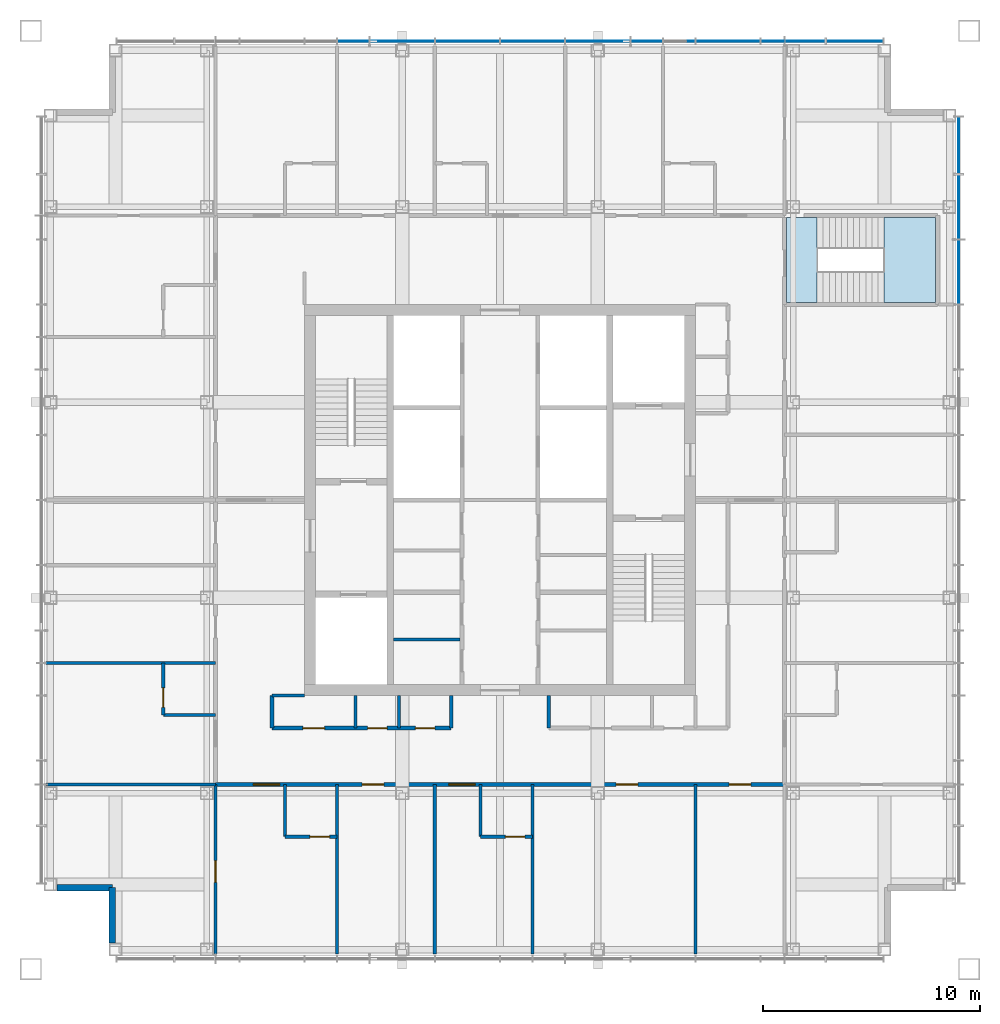
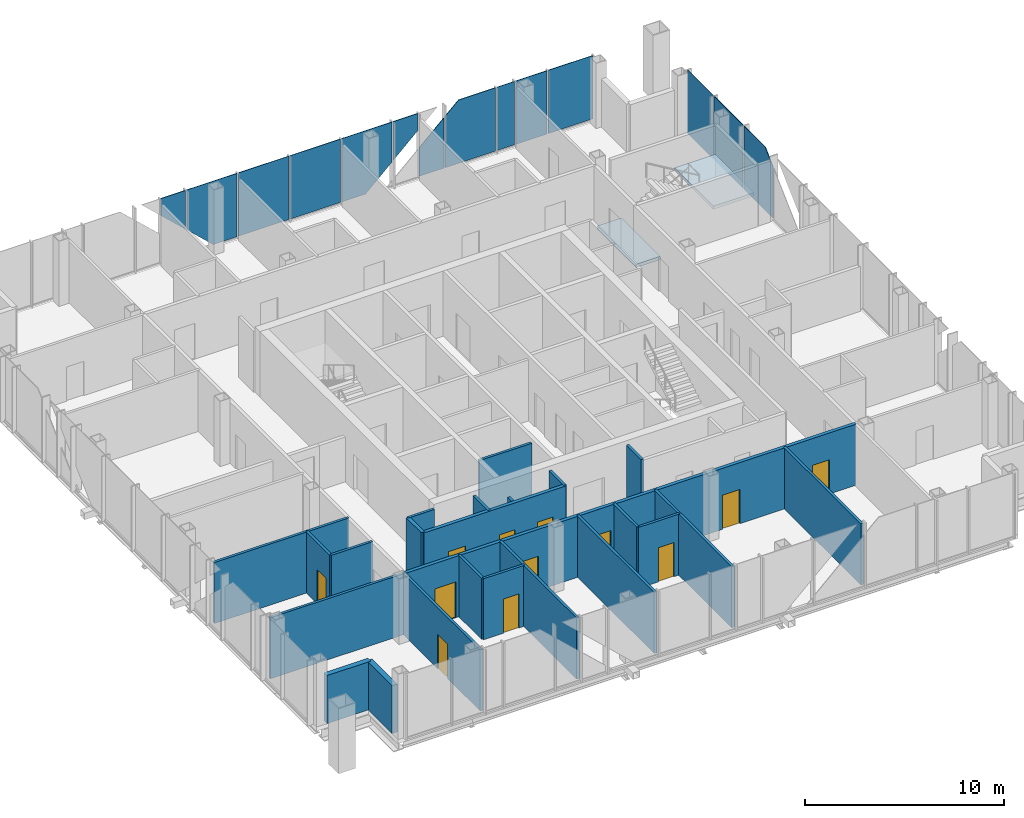
# One storey, part 7 of 13: 24 walls, 14 plates, 12 doors, 2 slabs, 12 openings, 3 elements without a shape of their own.
"""IFC4 building model written with IfcOpenShell, lengths in metres."""

from ifc_helpers import new_model, si_unit, direction, frame, frame_2d, origin, origin_2d, place, context, subcontext, project, spatial, polyline, rectangle, outline, extrude, material, layer, layer_set, type_object, element, fill, aggregate, save


model = new_model("IFC4")

# Units and contexts
model_context = context("Model", 3, precision=1e-05, world=origin(), true_north=direction((0.0, 1.0)))
body_context = subcontext(model_context, "Body", "Model", "MODEL_VIEW")
ifc_project = project(units=[si_unit("LENGTHUNIT", "METRE"), si_unit("AREAUNIT", "SQUARE_METRE"), si_unit("VOLUMEUNIT", "CUBIC_METRE"), si_unit("PLANEANGLEUNIT", "RADIAN"), si_unit("MASSUNIT", "GRAM", prefix="KILO")], contexts=[model_context])

# Site, building, storey
site_placement = place(None, origin())
site = spatial("IfcSite", under=ifc_project, at=site_placement, CompositionType="ELEMENT")
building_placement = place(site_placement, origin())
building = spatial("IfcBuilding", under=site, at=building_placement, Name="Malebo Sky Hospital", CompositionType="ELEMENT")
storey_placement = place(building_placement, frame((0.0, 0.0, 274.0)))
storey = spatial("IfcBuildingStorey", under=building, at=storey_placement, Name="L66", CompositionType="ELEMENT", Elevation=274.0)

# Stair, slabs
ifc_material_1 = material(Name="Concrete C40/50", Category="concrete")
stair_type = type_object("IfcStairType", Name="HALF-TURN STAIR 1400 R167", PredefinedType="HALF_TURN_STAIR", material=ifc_material_1)
stair_placement = place(storey_placement, origin())
stair = element("IfcStair", 1, at=stair_placement, inside=storey, type_object=stair_type, Name="Stair S3 L66 type ST1B", PredefinedType="HALF_TURN_STAIR")
ifc_layer_1 = layer(ifc_material_1, 0.199951171875)
ifc_layer_set_1 = layer_set([ifc_layer_1], Name="STAIR LANDING 200")
slab_type = type_object("IfcSlabType", Name="STAIR LANDING 200", PredefinedType="LANDING", material=ifc_layer_set_1)
slab_1_placement = place(storey_placement, frame((0.0, 0.0, -0.199951171875)))
slab_1 = element("IfcSlab", 2, at=slab_1_placement, type_object=slab_type, Name="S3 landing 1", PredefinedType="LANDING", context=body_context, shape_type="SweptSolid", body=[
    extrude(outline(polyline([(73.199951171875, 71.10009765625), (73.199951171875, 75.0), (74.60009765625, 75.0), (74.60009765625, 71.10009765625), (73.199951171875, 71.10009765625)])), origin(), (0.0, 0.0, 1.0), 0.199951171875),
])
slab_2_placement = place(storey_placement, frame((0.0, 0.0, 1.800048828125)))
slab_2 = element("IfcSlab", 3, at=slab_2_placement, type_object=slab_type, Name="S3 landing 2", PredefinedType="LANDING", context=body_context, shape_type="SweptSolid", body=[
    extrude(outline(polyline([(77.679931640625, 71.10009765625), (77.679931640625, 75.0), (80.050048828125, 75.0), (80.050048828125, 71.10009765625), (77.679931640625, 71.10009765625)])), origin(), (0.0, 0.0, 1.0), 0.199951171875),
])
aggregate(stair, [slab_1, slab_2])

# Curtain wall, plates
ifc_material_2 = material(Name="Anodised aluminium, natural silver", Category="aluminium")
ifc_layer_2 = layer(ifc_material_2, 0.25)
ifc_layer_set_2 = layer_set([ifc_layer_2], Name="WARD CURTAIN WALL NORTH AND SOUTH")
curtain_wall_type_1 = type_object("IfcCurtainWallType", Name="WARD CURTAIN WALL NORTH AND SOUTH", PredefinedType="NOTDEFINED", material=ifc_layer_set_2)
curtain_wall_1_placement = place(storey_placement, origin())
curtain_wall_1 = element("IfcCurtainWall", 4, at=curtain_wall_1_placement, inside=storey, type_object=curtain_wall_type_1, Name="NS curtain wall N", PredefinedType="NOTDEFINED")
ifc_material_3 = material(Name="Clear low-iron double glazing", Category="glass")
ifc_layer_3 = layer(ifc_material_3, 0.031982421875)
ifc_layer_set_3 = layer_set([ifc_layer_3], Name="VISION PANEL CLEAR 32")
plate_type = type_object("IfcPlateType", Name="VISION PANEL CLEAR 32", PredefinedType="CURTAIN_PANEL", material=ifc_layer_set_3)
plate_1_placement = place(storey_placement, frame((53.25, 83.125, 1.611083984375), z_axis=(0.0, 0.0, 1.0), x_axis=(1.0, 0.0, 0.0)))
plate_1 = element("IfcPlate", 5, at=plate_1_placement, type_object=plate_type, Name="Panel 6", PredefinedType="CURTAIN_PANEL", context=body_context, shape_type="SweptSolid", body=[
    extrude(outline(polyline([(0.71240234375, 0.0), (0.71240234375, 2.37890625), (-0.71240234375, 2.37890625), (-0.71240234375, 1.334228515625), (0.71240234375, 0.0)])), frame((0.0, 0.01611328125, 0.0), z_axis=(0.0, -1.0, 0.0), x_axis=(1.0, 0.0, 0.0)), (0.0, 0.0, 1.0), 0.031982421875),
])
plate_2_placement = place(storey_placement, frame((55.5, 83.125, 0.10009765625), z_axis=(0.0, 0.0, 1.0), x_axis=(1.0, 0.0, 0.0)))
plate_2 = element("IfcPlate", 6, at=plate_2_placement, type_object=plate_type, Name="Panel 7", PredefinedType="CURTAIN_PANEL", context=body_context, shape_type="SweptSolid", body=[
    extrude(outline(polyline([(0.076416015625, 0.0), (1.46240234375, 0.0), (1.46240234375, 3.889892578125), (-1.46240234375, 3.889892578125), (-1.46240234375, 1.44091796875), (0.076416015625, 0.0)])), frame((0.0, 0.01611328125, 0.0), z_axis=(0.0, -1.0, 0.0), x_axis=(1.0, 0.0, 0.0)), (0.0, 0.0, 1.0), 0.031982421875),
])
plate_3_placement = place(storey_placement, frame((58.5, 83.125, 0.10009765625), z_axis=(0.0, 0.0, 1.0), x_axis=(1.0, 0.0, 0.0)))
plate_3 = element("IfcPlate", 7, at=plate_3_placement, type_object=plate_type, Name="Panel 8", PredefinedType="CURTAIN_PANEL", context=body_context, shape_type="SweptSolid", body=[
    extrude(rectangle(XDim=2.925048828125, YDim=0.031982421875, at=origin_2d()), origin(), (0.0, 0.0, 1.0), 3.889892578125),
])
plate_4_placement = place(storey_placement, frame((61.5, 83.125, 0.10009765625), z_axis=(0.0, 0.0, 1.0), x_axis=(1.0, 0.0, 0.0)))
plate_4 = element("IfcPlate", 8, at=plate_4_placement, type_object=plate_type, Name="Panel 9", PredefinedType="CURTAIN_PANEL", context=body_context, shape_type="SweptSolid", body=[
    extrude(rectangle(XDim=2.925048828125, YDim=0.031982421875, at=origin_2d()), origin(), (0.0, 0.0, 1.0), 3.889892578125),
])
plate_5_placement = place(storey_placement, frame((64.5, 83.125, 0.10009765625), z_axis=(0.0, 0.0, 1.0), x_axis=(1.0, 0.0, 0.0)))
plate_5 = element("IfcPlate", 9, at=plate_5_placement, type_object=plate_type, Name="Panel 10", PredefinedType="CURTAIN_PANEL", context=body_context, shape_type="SweptSolid", body=[
    extrude(outline(polyline([(-1.46240234375, 0.0), (-0.076416015625, 0.0), (1.46240234375, 1.44091796875), (1.46240234375, 3.889892578125), (-1.46240234375, 3.889892578125), (-1.46240234375, 0.0)])), frame((0.0, 0.01611328125, 0.0), z_axis=(0.0, -1.0, 0.0), x_axis=(1.0, 0.0, 0.0)), (0.0, 0.0, 1.0), 0.031982421875),
])
plate_6_placement = place(storey_placement, frame((66.75, 83.125, 1.611083984375), z_axis=(0.0, 0.0, 1.0), x_axis=(1.0, 0.0, 0.0)))
plate_6 = element("IfcPlate", 10, at=plate_6_placement, type_object=plate_type, Name="Panel 11", PredefinedType="CURTAIN_PANEL", context=body_context, shape_type="SweptSolid", body=[
    extrude(outline(polyline([(-0.71240234375, 0.0), (0.71240234375, 1.334228515625), (0.71240234375, 2.37890625), (-0.71240234375, 2.37890625), (-0.71240234375, 0.0)])), frame((0.0, 0.01611328125, 0.0), z_axis=(0.0, -1.0, 0.0), x_axis=(1.0, 0.0, 0.0)), (0.0, 0.0, 1.0), 0.031982421875),
])
plate_7_placement = place(storey_placement, frame((68.25, 83.125, 0.10009765625), z_axis=(0.0, 0.0, 1.0), x_axis=(1.0, 0.0, 0.0)))
plate_7 = element("IfcPlate", 11, at=plate_7_placement, type_object=plate_type, Name="Panel 12", PredefinedType="CURTAIN_PANEL", context=body_context, shape_type="SweptSolid", body=[
    extrude(outline(polyline([(-0.71240234375, 0.0), (0.71240234375, 0.0), (0.71240234375, 3.083984375), (-0.71240234375, 1.749755859375), (-0.71240234375, 0.0)])), frame((0.0, 0.01611328125, 0.0), z_axis=(0.0, -1.0, 0.0), x_axis=(1.0, 0.0, 0.0)), (0.0, 0.0, 1.0), 0.031982421875),
])
plate_8_placement = place(storey_placement, frame((70.5, 83.125, 0.10009765625), z_axis=(0.0, 0.0, 1.0), x_axis=(1.0, 0.0, 0.0)))
plate_8 = element("IfcPlate", 12, at=plate_8_placement, type_object=plate_type, Name="Panel 13", PredefinedType="CURTAIN_PANEL", context=body_context, shape_type="SweptSolid", body=[
    extrude(outline(polyline([(-1.46240234375, 0.0), (1.46240234375, 0.0), (1.46240234375, 3.889892578125), (-0.6767578125, 3.889892578125), (-1.46240234375, 3.154296875), (-1.46240234375, 0.0)])), frame((0.0, 0.01611328125, 0.0), z_axis=(0.0, -1.0, 0.0), x_axis=(1.0, 0.0, 0.0)), (0.0, 0.0, 1.0), 0.031982421875),
])
plate_9_placement = place(storey_placement, frame((72.550048828125, 83.125, 0.10009765625), z_axis=(0.0, 0.0, 1.0), x_axis=(1.0, 0.0, 0.0)))
plate_9 = element("IfcPlate", 13, at=plate_9_placement, type_object=plate_type, Name="Panel 14", PredefinedType="CURTAIN_PANEL", context=body_context, shape_type="SweptSolid", body=[
    extrude(rectangle(XDim=1.02490234375, YDim=0.031982421875, at=origin_2d()), origin(), (0.0, 0.0, 1.0), 3.889892578125),
])
plate_10_placement = place(storey_placement, frame((74.050048828125, 83.125, 0.10009765625), z_axis=(0.0, 0.0, 1.0), x_axis=(1.0, 0.0, 0.0)))
plate_10 = element("IfcPlate", 14, at=plate_10_placement, type_object=plate_type, Name="Panel 15", PredefinedType="CURTAIN_PANEL", context=body_context, shape_type="SweptSolid", body=[
    extrude(rectangle(XDim=1.824951171875, YDim=0.031982421875, at=origin_2d()), origin(), (0.0, 0.0, 1.0), 3.889892578125),
])
plate_11_placement = place(storey_placement, frame((76.331298828125, 83.125, 0.10009765625), z_axis=(0.0, 0.0, 1.0), x_axis=(1.0, 0.0, 0.0)))
plate_11 = element("IfcPlate", 15, at=plate_11_placement, type_object=plate_type, Name="Panel 16", PredefinedType="CURTAIN_PANEL", context=body_context, shape_type="SweptSolid", body=[
    extrude(rectangle(XDim=2.58740234375, YDim=0.031982421875, at=origin_2d()), origin(), (0.0, 0.0, 1.0), 3.889892578125),
])
aggregate(curtain_wall_1, [plate_1, plate_2, plate_3, plate_4, plate_5, plate_6, plate_7, plate_8, plate_9, plate_10, plate_11])

ifc_layer_4 = layer(ifc_material_2, 0.25)
ifc_layer_set_4 = layer_set([ifc_layer_4], Name="WARD CURTAIN WALL EAST AND WEST")
curtain_wall_type_2 = type_object("IfcCurtainWallType", Name="WARD CURTAIN WALL EAST AND WEST", PredefinedType="NOTDEFINED", material=ifc_layer_set_4)
curtain_wall_2_placement = place(storey_placement, origin())
curtain_wall_2 = element("IfcCurtainWall", 16, at=curtain_wall_2_placement, inside=storey, type_object=curtain_wall_type_2, Name="EW curtain wall E", PredefinedType="NOTDEFINED")
plate_12_placement = place(storey_placement, frame((81.125, 78.331298828125, 0.10009765625), z_axis=(0.0, 0.0, 1.0), x_axis=(0.0, -1.0, 0.0)))
plate_12 = element("IfcPlate", 17, at=plate_12_placement, type_object=plate_type, Name="Panel 1", PredefinedType="CURTAIN_PANEL", context=body_context, shape_type="SweptSolid", body=[
    extrude(rectangle(XDim=2.58740234375, YDim=0.031982421875, at=origin_2d()), origin(), (0.0, 0.0, 1.0), 3.889892578125),
])
plate_13_placement = place(storey_placement, frame((81.125, 75.5, 0.10009765625), z_axis=(0.0, 0.0, 1.0), x_axis=(0.0, -1.0, 0.0)))
plate_13 = element("IfcPlate", 18, at=plate_13_placement, type_object=plate_type, Name="Panel 2", PredefinedType="CURTAIN_PANEL", context=body_context, shape_type="SweptSolid", body=[
    extrude(rectangle(XDim=2.925048828125, YDim=0.031982421875, at=origin_2d()), origin(), (0.0, 0.0, 1.0), 3.889892578125),
])
plate_14_placement = place(storey_placement, frame((81.125, 72.5, 0.10009765625), z_axis=(0.0, 0.0, 1.0), x_axis=(0.0, -1.0, 0.0)))
plate_14 = element("IfcPlate", 19, at=plate_14_placement, type_object=plate_type, Name="Panel 3", PredefinedType="CURTAIN_PANEL", context=body_context, shape_type="SweptSolid", body=[
    extrude(outline(polyline([(-1.46240234375, 0.0), (1.46240234375, 0.0), (1.46240234375, 3.154296875), (0.6767578125, 3.889892578125), (-1.46240234375, 3.889892578125), (-1.46240234375, 0.0)])), frame((0.0, 0.01611328125, 0.0), z_axis=(0.0, -1.0, 0.0), x_axis=(1.0, 0.0, 0.0)), (0.0, 0.0, 1.0), 0.031982421875),
])
aggregate(curtain_wall_2, [plate_12, plate_13, plate_14])

# Wall
ifc_material_4 = material(Name="Gypsum board on steel studs", Category="steel")
ifc_layer_5 = layer(ifc_material_4, 0.199951171875)
ifc_layer_set_5 = layer_set([ifc_layer_5], Name="CORRIDOR WALL 200")
wall_type_1 = type_object("IfcWallType", Name="CORRIDOR WALL 200", PredefinedType="PARTITIONING", material=ifc_layer_set_5)
wall_1_placement = place(storey_placement, frame((49.5, 51.5, 0.0), z_axis=(0.0, 0.0, 1.0), x_axis=(0.0, 1.0, 0.0)))
element("IfcWall", 20, at=wall_1_placement, inside=storey, type_object=wall_type_1, Name="Corridor Wall 200 WCIK", PredefinedType="PARTITIONING", context=body_context, shape_type="SweptSolid", body=[
    extrude(rectangle(XDim=1.5, YDim=0.199951171875, at=frame_2d((0.75, 0.0))), origin(), (0.0, 0.0, 1.0), 3.75),
])

# Wall, openings, doors
wall_2_placement = place(storey_placement, frame((73.10009765625, 48.89990234375, 0.0), z_axis=(0.0, 0.0, 1.0), x_axis=(-1.0, 0.0, 0.0)))
wall_2 = element("IfcWall", 21, at=wall_2_placement, inside=storey, type_object=wall_type_1, Name="Corridor Wall 200 SCO", PredefinedType="PARTITIONING", context=body_context, shape_type="SweptSolid", body=[
    extrude(rectangle(XDim=26.2001953125, YDim=0.199951171875, at=frame_2d((13.10009765625, 0.0))), origin(), (0.0, 0.0, 1.0), 3.75),
])
opening_1_placement = place(wall_2_placement, frame((1.550048828125, 0.0, 0.0)))
opening_1 = element("IfcOpeningElement", 22, at=opening_1_placement, cuts=wall_2, Name="Opening D03", PredefinedType="OPENING", context=body_context, shape_type="SweptSolid", body=[
    extrude(rectangle(XDim=1.0, YDim=2.10009765625, at=frame_2d((0.5, 1.050048828125))), frame((0.0, 0.10986328125, 0.0), z_axis=(0.0, -1.0, 0.0), x_axis=(1.0, 0.0, 0.0)), (0.0, 0.0, 1.0), 0.219970703125),
])
opening_2_placement = place(wall_2_placement, frame((6.75, 0.0, 0.0)))
opening_2 = element("IfcOpeningElement", 23, at=opening_2_placement, cuts=wall_2, Name="Opening D03", PredefinedType="OPENING", context=body_context, shape_type="SweptSolid", body=[
    extrude(rectangle(XDim=1.0, YDim=2.10009765625, at=frame_2d((0.5, 1.050048828125))), frame((0.0, 0.10986328125, 0.0), z_axis=(0.0, -1.0, 0.0), x_axis=(1.0, 0.0, 0.0)), (0.0, 0.0, 1.0), 0.219970703125),
])
opening_3_placement = place(wall_2_placement, frame((14.25, 0.0, 0.0)))
opening_3 = element("IfcOpeningElement", 24, at=opening_3_placement, cuts=wall_2, Name="Opening D01", PredefinedType="OPENING", context=body_context, shape_type="SweptSolid", body=[
    extrude(rectangle(XDim=1.199951171875, YDim=2.199951171875, at=frame_2d((0.60009765625, 1.10009765625))), frame((0.0, 0.10986328125, 0.0), z_axis=(0.0, -1.0, 0.0), x_axis=(1.0, 0.0, 0.0)), (0.0, 0.0, 1.0), 0.219970703125),
])
opening_4_placement = place(wall_2_placement, frame((18.449951171875, 0.0, 0.0)))
opening_4 = element("IfcOpeningElement", 25, at=opening_4_placement, cuts=wall_2, Name="Opening D03", PredefinedType="OPENING", context=body_context, shape_type="SweptSolid", body=[
    extrude(rectangle(XDim=1.0, YDim=2.10009765625, at=frame_2d((0.5, 1.050048828125))), frame((0.0, 0.10986328125, 0.0), z_axis=(0.0, -1.0, 0.0), x_axis=(1.0, 0.0, 0.0)), (0.0, 0.0, 1.0), 0.219970703125),
])
opening_5_placement = place(wall_2_placement, frame((23.25, 0.0, 0.0)))
opening_5 = element("IfcOpeningElement", 26, at=opening_5_placement, cuts=wall_2, Name="Opening D01", PredefinedType="OPENING", context=body_context, shape_type="SweptSolid", body=[
    extrude(rectangle(XDim=1.199951171875, YDim=2.199951171875, at=frame_2d((0.60009765625, 1.10009765625))), frame((0.0, 0.10986328125, 0.0), z_axis=(0.0, -1.0, 0.0), x_axis=(1.0, 0.0, 0.0)), (0.0, 0.0, 1.0), 0.219970703125),
])
ifc_material_5 = material(Name="Hardwood-faced door leaf in steel frame", Category="steel")
door_type_1 = type_object("IfcDoorType", Name="BED DOOR 1200", OperationType="SINGLE_SWING_LEFT", PredefinedType="DOOR", material=ifc_material_5)
door_1_placement = place(opening_3_placement, origin())
door_1 = element("IfcDoor", 27, at=door_1_placement, inside=storey, type_object=door_type_1, Name="Private patient suite door", OperationType="SINGLE_SWING_LEFT", OverallHeight=2.199951171875, OverallWidth=1.199951171875, PredefinedType="DOOR", context=body_context, shape_type="SweptSolid", body=[
    extrude(rectangle(XDim=1.199951171875, YDim=2.199951171875, at=frame_2d((0.60009765625, 1.10009765625))), frame((0.0, 0.02490234375, 0.0), z_axis=(0.0, -1.0, 0.0), x_axis=(1.0, 0.0, 0.0)), (0.0, 0.0, 1.0), 0.050048828125),
])
fill(opening_3, door_1)
door_2_placement = place(opening_5_placement, origin())
door_2 = element("IfcDoor", 28, at=door_2_placement, inside=storey, type_object=door_type_1, Name="Private patient suite door", OperationType="SINGLE_SWING_LEFT", OverallHeight=2.199951171875, OverallWidth=1.199951171875, PredefinedType="DOOR", context=body_context, shape_type="SweptSolid", body=[
    extrude(rectangle(XDim=1.199951171875, YDim=2.199951171875, at=frame_2d((0.60009765625, 1.10009765625))), frame((0.0, 0.02490234375, 0.0), z_axis=(0.0, -1.0, 0.0), x_axis=(1.0, 0.0, 0.0)), (0.0, 0.0, 1.0), 0.050048828125),
])
fill(opening_5, door_2)
door_type_2 = type_object("IfcDoorType", Name="ROOM DOOR 1000", OperationType="SINGLE_SWING_LEFT", PredefinedType="DOOR", material=ifc_material_5)
door_3_placement = place(opening_1_placement, origin())
door_3 = element("IfcDoor", 29, at=door_3_placement, inside=storey, type_object=door_type_2, Name="Ward office door", OperationType="SINGLE_SWING_LEFT", OverallHeight=2.10009765625, OverallWidth=1.0, PredefinedType="DOOR", context=body_context, shape_type="SweptSolid", body=[
    extrude(rectangle(XDim=1.0, YDim=2.10009765625, at=frame_2d((0.5, 1.050048828125))), frame((0.0, 0.02490234375, 0.0), z_axis=(0.0, -1.0, 0.0), x_axis=(1.0, 0.0, 0.0)), (0.0, 0.0, 1.0), 0.050048828125),
])
fill(opening_1, door_3)
door_4_placement = place(opening_2_placement, origin())
door_4 = element("IfcDoor", 30, at=door_4_placement, inside=storey, type_object=door_type_2, Name="Patient lounge door", OperationType="SINGLE_SWING_LEFT", OverallHeight=2.10009765625, OverallWidth=1.0, PredefinedType="DOOR", context=body_context, shape_type="SweptSolid", body=[
    extrude(rectangle(XDim=1.0, YDim=2.10009765625, at=frame_2d((0.5, 1.050048828125))), frame((0.0, 0.02490234375, 0.0), z_axis=(0.0, -1.0, 0.0), x_axis=(1.0, 0.0, 0.0)), (0.0, 0.0, 1.0), 0.050048828125),
])
fill(opening_2, door_4)
door_5_placement = place(opening_4_placement, origin())
door_5 = element("IfcDoor", 31, at=door_5_placement, inside=storey, type_object=door_type_2, Name="Dirty utility room door", OperationType="SINGLE_SWING_RIGHT", OverallHeight=2.10009765625, OverallWidth=1.0, PredefinedType="DOOR", context=body_context, shape_type="SweptSolid", body=[
    extrude(rectangle(XDim=1.0, YDim=2.10009765625, at=frame_2d((0.5, 1.050048828125))), frame((0.0, 0.02490234375, 0.0), z_axis=(0.0, -1.0, 0.0), x_axis=(1.0, 0.0, 0.0)), (0.0, 0.0, 1.0), 0.050048828125),
])
fill(opening_4, door_5)

wall_3_placement = place(storey_placement, frame((57.75, 51.5, 0.0), z_axis=(0.0, 0.0, 1.0), x_axis=(-1.0, 0.0, 0.0)))
wall_3 = element("IfcWall", 32, at=wall_3_placement, inside=storey, type_object=wall_type_1, Name="Corridor Wall 200 SCI2", PredefinedType="PARTITIONING", context=body_context, shape_type="SweptSolid", body=[
    extrude(rectangle(XDim=8.25, YDim=0.199951171875, at=frame_2d((4.125, 0.0))), origin(), (0.0, 0.0, 1.0), 3.75),
])
opening_6_placement = place(wall_3_placement, frame((0.75, 0.0, 0.0)))
opening_6 = element("IfcOpeningElement", 33, at=opening_6_placement, cuts=wall_3, Name="Opening D04", PredefinedType="OPENING", context=body_context, shape_type="SweptSolid", body=[
    extrude(rectangle(XDim=0.89990234375, YDim=2.10009765625, at=frame_2d((0.449951171875, 1.050048828125))), frame((0.0, 0.10986328125, 0.0), z_axis=(0.0, -1.0, 0.0), x_axis=(1.0, 0.0, 0.0)), (0.0, 0.0, 1.0), 0.219970703125),
])
opening_7_placement = place(wall_3_placement, frame((2.949951171875, 0.0, 0.0)))
opening_7 = element("IfcOpeningElement", 34, at=opening_7_placement, cuts=wall_3, Name="Opening D04", PredefinedType="OPENING", context=body_context, shape_type="SweptSolid", body=[
    extrude(rectangle(XDim=0.89990234375, YDim=2.10009765625, at=frame_2d((0.449951171875, 1.050048828125))), frame((0.0, 0.10986328125, 0.0), z_axis=(0.0, -1.0, 0.0), x_axis=(1.0, 0.0, 0.0)), (0.0, 0.0, 1.0), 0.219970703125),
])
opening_8_placement = place(wall_3_placement, frame((5.824951171875, 0.0, 0.0)))
opening_8 = element("IfcOpeningElement", 35, at=opening_8_placement, cuts=wall_3, Name="Opening D03", PredefinedType="OPENING", context=body_context, shape_type="SweptSolid", body=[
    extrude(rectangle(XDim=1.0, YDim=2.10009765625, at=frame_2d((0.5, 1.050048828125))), frame((0.0, 0.10986328125, 0.0), z_axis=(0.0, -1.0, 0.0), x_axis=(1.0, 0.0, 0.0)), (0.0, 0.0, 1.0), 0.219970703125),
])
door_6_placement = place(opening_8_placement, origin())
door_6 = element("IfcDoor", 36, at=door_6_placement, inside=storey, type_object=door_type_2, Name="Equipment store door", OperationType="SINGLE_SWING_RIGHT", OverallHeight=2.10009765625, OverallWidth=1.0, PredefinedType="DOOR", context=body_context, shape_type="SweptSolid", body=[
    extrude(rectangle(XDim=1.0, YDim=2.10009765625, at=frame_2d((0.5, 1.050048828125))), frame((0.0, 0.02490234375, 0.0), z_axis=(0.0, -1.0, 0.0), x_axis=(1.0, 0.0, 0.0)), (0.0, 0.0, 1.0), 0.050048828125),
])
fill(opening_8, door_6)
door_type_3 = type_object("IfcDoorType", Name="ROOM DOOR 900", OperationType="SINGLE_SWING_LEFT", PredefinedType="DOOR", material=ifc_material_5)
door_7_placement = place(opening_6_placement, origin())
door_7 = element("IfcDoor", 37, at=door_7_placement, inside=storey, type_object=door_type_3, Name="Cleaner's room door", OperationType="SINGLE_SWING_LEFT", OverallHeight=2.10009765625, OverallWidth=0.89990234375, PredefinedType="DOOR", context=body_context, shape_type="SweptSolid", body=[
    extrude(rectangle(XDim=0.89990234375, YDim=2.10009765625, at=frame_2d((0.449951171875, 1.050048828125))), frame((0.0, 0.02490234375, 0.0), z_axis=(0.0, -1.0, 0.0), x_axis=(1.0, 0.0, 0.0)), (0.0, 0.0, 1.0), 0.050048828125),
])
fill(opening_6, door_7)
door_8_placement = place(opening_7_placement, origin())
door_8 = element("IfcDoor", 38, at=door_8_placement, inside=storey, type_object=door_type_3, Name="Visitor WC door", OperationType="SINGLE_SWING_LEFT", OverallHeight=2.10009765625, OverallWidth=0.89990234375, PredefinedType="DOOR", context=body_context, shape_type="SweptSolid", body=[
    extrude(rectangle(XDim=0.89990234375, YDim=2.10009765625, at=frame_2d((0.449951171875, 1.050048828125))), frame((0.0, 0.02490234375, 0.0), z_axis=(0.0, -1.0, 0.0), x_axis=(1.0, 0.0, 0.0)), (0.0, 0.0, 1.0), 0.050048828125),
])
fill(opening_7, door_8)

# Walls
ifc_material_6 = material(Name="Anodised aluminium rainscreen on steel framing", Category="steel")
ifc_layer_6 = layer(ifc_material_6, 0.300048828125)
ifc_layer_set_6 = layer_set([ifc_layer_6], Name="NOTCH RAINSCREEN WALL 300")
wall_type_2 = type_object("IfcWallType", Name="NOTCH RAINSCREEN WALL 300", PredefinedType="ELEMENTEDWALL", material=ifc_layer_set_6)
for number, where, z_axis, x_axis, name in (
    (39, (42.14990234375, 41.60009765625, 0.0), (0.0, 0.0, 1.0), (0.0, 1.0, 0.0), "Notch rainscreen wall S1 L66"),
    (40, (42.14990234375, 44.14990234375, 0.0), (0.0, 0.0, 1.0), (-1.0, 0.0, 0.0), "Notch rainscreen wall S2 L66"),
):
    element("IfcWall", number, at=place(storey_placement, frame(where, z_axis=z_axis, x_axis=x_axis)), inside=storey, type_object=wall_type_2, Name=name, PredefinedType="ELEMENTEDWALL", context=body_context, shape_type="SweptSolid", body=[
        extrude(rectangle(XDim=2.5498046875, YDim=0.300048828125, at=frame_2d((1.27490234375, 0.0))), origin(), (0.0, 0.0, 1.0), 2.949951171875),
    ])
ifc_layer_7 = layer(ifc_material_4, 0.14990234375)
ifc_layer_set_7 = layer_set([ifc_layer_7], Name="PARTITION 150")
wall_type_3 = type_object("IfcWallType", Name="PARTITION 150", PredefinedType="PARTITIONING", material=ifc_layer_set_7)
for number, where, z_axis, x_axis, name in (
    (41, (46.89990234375, 54.5, 0.0), (0.0, 0.0, 1.0), (-1.0, 0.0, 0.0), "Partition 150 WP-7.5"),
    (42, (46.89990234375, 48.89990234375, 0.0), (0.0, 0.0, 1.0), (-1.0, 0.0, 0.0), "Partition 150 WP0"),
):
    element("IfcWall", number, at=place(storey_placement, frame(where, z_axis=z_axis, x_axis=x_axis)), inside=storey, type_object=wall_type_3, Name=name, PredefinedType="PARTITIONING", context=body_context, shape_type="SweptSolid", body=[
        extrude(rectangle(XDim=7.7998046875, YDim=0.14990234375, at=frame_2d((3.89990234375, 0.0))), origin(), (0.0, 0.0, 1.0), 3.75),
    ])

# Wall, opening, door
wall_4_placement = place(storey_placement, frame((44.5, 52.10009765625, 0.0), z_axis=(0.0, 0.0, 1.0), x_axis=(0.0, 1.0, 0.0)))
wall_4 = element("IfcWall", 43, at=wall_4_placement, inside=storey, type_object=wall_type_3, Name="Partition 150 WE0F", PredefinedType="PARTITIONING", context=body_context, shape_type="SweptSolid", body=[
    extrude(rectangle(XDim=2.39990234375, YDim=0.14990234375, at=frame_2d((1.199951171875, 0.0))), origin(), (0.0, 0.0, 1.0), 3.75),
])
opening_9_placement = place(wall_4_placement, frame((0.35009765625, 0.0, 0.0)))
opening_9 = element("IfcOpeningElement", 44, at=opening_9_placement, cuts=wall_4, Name="Opening D02", PredefinedType="OPENING", context=body_context, shape_type="SweptSolid", body=[
    extrude(rectangle(XDim=0.89990234375, YDim=2.10009765625, at=frame_2d((0.449951171875, 1.050048828125))), frame((0.0, 0.0849609375, 0.0), z_axis=(0.0, -1.0, 0.0), x_axis=(1.0, 0.0, 0.0)), (0.0, 0.0, 1.0), 0.169921875),
])
door_type_4 = type_object("IfcDoorType", Name="EN-SUITE DOOR 900", OperationType="SINGLE_SWING_LEFT", PredefinedType="DOOR", material=ifc_material_5)
door_9_placement = place(opening_9_placement, origin())
door_9 = element("IfcDoor", 45, at=door_9_placement, inside=storey, type_object=door_type_4, Name="En-suite door", OperationType="SINGLE_SWING_LEFT", OverallHeight=2.10009765625, OverallWidth=0.89990234375, PredefinedType="DOOR", context=body_context, shape_type="SweptSolid", body=[
    extrude(rectangle(XDim=0.89990234375, YDim=2.10009765625, at=frame_2d((0.449951171875, 1.050048828125))), frame((0.0, 0.02490234375, 0.0), z_axis=(0.0, -1.0, 0.0), x_axis=(1.0, 0.0, 0.0)), (0.0, 0.0, 1.0), 0.050048828125),
])
fill(opening_9, door_9)

# Walls
wall_5_placement = place(storey_placement, frame((46.89990234375, 52.10009765625, 0.0), z_axis=(0.0, 0.0, 1.0), x_axis=(-1.0, 0.0, 0.0)))
element("IfcWall", 46, at=wall_5_placement, inside=storey, type_object=wall_type_3, Name="Partition 150 WE0S", PredefinedType="PARTITIONING", context=body_context, shape_type="SweptSolid", body=[
    extrude(rectangle(XDim=2.39990234375, YDim=0.14990234375, at=frame_2d((1.199951171875, 0.0))), origin(), (0.0, 0.0, 1.0), 3.75),
])
wall_6_placement = place(storey_placement, frame((51.0, 53.0, 0.0), z_axis=(0.0, 0.0, 1.0), x_axis=(-1.0, 0.0, 0.0)))
element("IfcWall", 47, at=wall_6_placement, inside=storey, type_object=wall_type_3, Name="Partition 150 WSP0", PredefinedType="PARTITIONING", context=body_context, shape_type="SweptSolid", body=[
    extrude(rectangle(XDim=1.5, YDim=0.14990234375, at=frame_2d((0.75, 0.0))), origin(), (0.0, 0.0, 1.0), 3.75),
])
for number, where, z_axis, x_axis, name in (
    (48, (69.0, 48.89990234375, 0.0), (0.0, 0.0, 1.0), (0.0, -1.0, 0.0), "Partition 150 SP-9.0"),
    (49, (61.5, 48.89990234375, 0.0), (0.0, 0.0, 1.0), (0.0, -1.0, 0.0), "Partition 150 SP-1.5"),
    (50, (57.0, 48.89990234375, 0.0), (0.0, 0.0, 1.0), (0.0, -1.0, 0.0), "Partition 150 SP+3.0"),
    (51, (52.5, 48.89990234375, 0.0), (0.0, 0.0, 1.0), (0.0, -1.0, 0.0), "Partition 150 SP+7.5"),
):
    element("IfcWall", number, at=place(storey_placement, frame(where, z_axis=z_axis, x_axis=x_axis)), inside=storey, type_object=wall_type_3, Name=name, PredefinedType="PARTITIONING", context=body_context, shape_type="SweptSolid", body=[
        extrude(rectangle(XDim=7.7998046875, YDim=0.14990234375, at=frame_2d((3.89990234375, 0.0))), origin(), (0.0, 0.0, 1.0), 3.75),
    ])

# Wall, opening, door
wall_7_placement = place(storey_placement, frame((61.5, 46.5, 0.0), z_axis=(0.0, 0.0, 1.0), x_axis=(-1.0, 0.0, 0.0)))
wall_7 = element("IfcWall", 52, at=wall_7_placement, inside=storey, type_object=wall_type_3, Name="Partition 150 SE2F", PredefinedType="PARTITIONING", context=body_context, shape_type="SweptSolid", body=[
    extrude(rectangle(XDim=2.39990234375, YDim=0.14990234375, at=frame_2d((1.199951171875, 0.0))), origin(), (0.0, 0.0, 1.0), 3.75),
])
opening_10_placement = place(wall_7_placement, frame((0.35009765625, 0.0, 0.0)))
opening_10 = element("IfcOpeningElement", 53, at=opening_10_placement, cuts=wall_7, Name="Opening D02", PredefinedType="OPENING", context=body_context, shape_type="SweptSolid", body=[
    extrude(rectangle(XDim=0.89990234375, YDim=2.10009765625, at=frame_2d((0.449951171875, 1.050048828125))), frame((0.0, 0.0849609375, 0.0), z_axis=(0.0, -1.0, 0.0), x_axis=(1.0, 0.0, 0.0)), (0.0, 0.0, 1.0), 0.169921875),
])
door_10_placement = place(opening_10_placement, origin())
door_10 = element("IfcDoor", 54, at=door_10_placement, inside=storey, type_object=door_type_4, Name="En-suite door", OperationType="SINGLE_SWING_LEFT", OverallHeight=2.10009765625, OverallWidth=0.89990234375, PredefinedType="DOOR", context=body_context, shape_type="SweptSolid", body=[
    extrude(rectangle(XDim=0.89990234375, YDim=2.10009765625, at=frame_2d((0.449951171875, 1.050048828125))), frame((0.0, 0.02490234375, 0.0), z_axis=(0.0, -1.0, 0.0), x_axis=(1.0, 0.0, 0.0)), (0.0, 0.0, 1.0), 0.050048828125),
])
fill(opening_10, door_10)

# Wall
wall_8_placement = place(storey_placement, frame((59.10009765625, 48.89990234375, 0.0), z_axis=(0.0, 0.0, 1.0), x_axis=(0.0, -1.0, 0.0)))
element("IfcWall", 55, at=wall_8_placement, inside=storey, type_object=wall_type_3, Name="Partition 150 SE2S", PredefinedType="PARTITIONING", context=body_context, shape_type="SweptSolid", body=[
    extrude(rectangle(XDim=2.39990234375, YDim=0.14990234375, at=frame_2d((1.199951171875, 0.0))), origin(), (0.0, 0.0, 1.0), 3.75),
])

# Wall, opening, door
wall_9_placement = place(storey_placement, frame((46.89990234375, 48.89990234375, 0.0), z_axis=(0.0, 0.0, 1.0), x_axis=(0.0, -1.0, 0.0)))
wall_9 = element("IfcWall", 56, at=wall_9_placement, inside=storey, type_object=wall_type_3, Name="Partition 150 SK", PredefinedType="PARTITIONING", context=body_context, shape_type="SweptSolid", body=[
    extrude(rectangle(XDim=7.7998046875, YDim=0.14990234375, at=frame_2d((3.89990234375, 0.0))), origin(), (0.0, 0.0, 1.0), 3.75),
])
opening_11_placement = place(wall_9_placement, frame((3.5, 0.0, 0.0)))
opening_11 = element("IfcOpeningElement", 57, at=opening_11_placement, cuts=wall_9, Name="Opening D03", PredefinedType="OPENING", context=body_context, shape_type="SweptSolid", body=[
    extrude(rectangle(XDim=1.0, YDim=2.10009765625, at=frame_2d((0.5, 1.050048828125))), frame((0.0, 0.0849609375, 0.0), z_axis=(0.0, -1.0, 0.0), x_axis=(1.0, 0.0, 0.0)), (0.0, 0.0, 1.0), 0.169921875),
])
door_11_placement = place(opening_11_placement, origin())
door_11 = element("IfcDoor", 58, at=door_11_placement, inside=storey, type_object=door_type_2, Name="Suite sitting room door", OperationType="SINGLE_SWING_RIGHT", OverallHeight=2.10009765625, OverallWidth=1.0, PredefinedType="DOOR", context=body_context, shape_type="SweptSolid", body=[
    extrude(rectangle(XDim=1.0, YDim=2.10009765625, at=frame_2d((0.5, 1.050048828125))), frame((0.0, 0.02490234375, 0.0), z_axis=(0.0, -1.0, 0.0), x_axis=(1.0, 0.0, 0.0)), (0.0, 0.0, 1.0), 0.050048828125),
])
fill(opening_11, door_11)

wall_10_placement = place(storey_placement, frame((52.5, 46.5, 0.0), z_axis=(0.0, 0.0, 1.0), x_axis=(-1.0, 0.0, 0.0)))
wall_10 = element("IfcWall", 59, at=wall_10_placement, inside=storey, type_object=wall_type_3, Name="Partition 150 SE4F", PredefinedType="PARTITIONING", context=body_context, shape_type="SweptSolid", body=[
    extrude(rectangle(XDim=2.39990234375, YDim=0.14990234375, at=frame_2d((1.199951171875, 0.0))), origin(), (0.0, 0.0, 1.0), 3.75),
])
opening_12_placement = place(wall_10_placement, frame((0.35009765625, 0.0, 0.0)))
opening_12 = element("IfcOpeningElement", 60, at=opening_12_placement, cuts=wall_10, Name="Opening D02", PredefinedType="OPENING", context=body_context, shape_type="SweptSolid", body=[
    extrude(rectangle(XDim=0.89990234375, YDim=2.10009765625, at=frame_2d((0.449951171875, 1.050048828125))), frame((0.0, 0.0849609375, 0.0), z_axis=(0.0, -1.0, 0.0), x_axis=(1.0, 0.0, 0.0)), (0.0, 0.0, 1.0), 0.169921875),
])
door_12_placement = place(opening_12_placement, origin())
door_12 = element("IfcDoor", 61, at=door_12_placement, inside=storey, type_object=door_type_4, Name="En-suite door", OperationType="SINGLE_SWING_LEFT", OverallHeight=2.10009765625, OverallWidth=0.89990234375, PredefinedType="DOOR", context=body_context, shape_type="SweptSolid", body=[
    extrude(rectangle(XDim=0.89990234375, YDim=2.10009765625, at=frame_2d((0.449951171875, 1.050048828125))), frame((0.0, 0.02490234375, 0.0), z_axis=(0.0, -1.0, 0.0), x_axis=(1.0, 0.0, 0.0)), (0.0, 0.0, 1.0), 0.050048828125),
])
fill(opening_12, door_12)

# Walls
wall_11_placement = place(storey_placement, frame((50.10009765625, 48.89990234375, 0.0), z_axis=(0.0, 0.0, 1.0), x_axis=(0.0, -1.0, 0.0)))
element("IfcWall", 62, at=wall_11_placement, inside=storey, type_object=wall_type_3, Name="Partition 150 SE4S", PredefinedType="PARTITIONING", context=body_context, shape_type="SweptSolid", body=[
    extrude(rectangle(XDim=2.39990234375, YDim=0.14990234375, at=frame_2d((1.199951171875, 0.0))), origin(), (0.0, 0.0, 1.0), 3.75),
])
for number, where, z_axis, x_axis, name in (
    (63, (62.25, 53.0, 0.0), (0.0, 0.0, 1.0), (0.0, -1.0, 0.0), "Partition 150 SSPA"),
    (64, (57.75, 53.0, 0.0), (0.0, 0.0, 1.0), (0.0, -1.0, 0.0), "Partition 150 SSPB"),
):
    element("IfcWall", number, at=place(storey_placement, frame(where, z_axis=z_axis, x_axis=x_axis)), inside=storey, type_object=wall_type_3, Name=name, PredefinedType="PARTITIONING", context=body_context, shape_type="SweptSolid", body=[
        extrude(rectangle(XDim=1.5, YDim=0.14990234375, at=frame_2d((0.75, 0.0))), origin(), (0.0, 0.0, 1.0), 3.75),
    ])
wall_12_placement = place(storey_placement, frame((55.35009765625, 53.0, 0.0), z_axis=(0.0, 0.0, 1.0), x_axis=(0.0, -1.0, 0.0)))
element("IfcWall", 65, at=wall_12_placement, inside=storey, type_object=wall_type_3, Name="Partition 150 SSP+4.7", PredefinedType="PARTITIONING", context=body_context, shape_type="SweptSolid", body=[
    extrude(rectangle(XDim=1.5, YDim=0.14990234375, at=frame_2d((0.75, 0.0))), origin(), (0.0, 0.0, 1.0), 2.949951171875),
])
wall_13_placement = place(storey_placement, frame((53.35009765625, 53.0, 0.0), z_axis=(0.0, 0.0, 1.0), x_axis=(0.0, -1.0, 0.0)))
element("IfcWall", 66, at=wall_13_placement, inside=storey, type_object=wall_type_3, Name="Partition 150 SSP+6.7", PredefinedType="PARTITIONING", context=body_context, shape_type="SweptSolid", body=[
    extrude(rectangle(XDim=1.5, YDim=0.14990234375, at=frame_2d((0.75, 0.0))), origin(), (0.0, 0.0, 1.0), 3.75),
])
wall_14_placement = place(storey_placement, frame((55.10009765625, 55.574951171875, 0.0), z_axis=(0.0, 0.0, 1.0), x_axis=(1.0, 0.0, 0.0)))
element("IfcWall", 67, at=wall_14_placement, inside=storey, type_object=wall_type_3, Name="Partition 150 SHW1", PredefinedType="PARTITIONING", context=body_context, shape_type="SweptSolid", body=[
    extrude(rectangle(XDim=3.0498046875, YDim=0.14990234375, at=frame_2d((1.52490234375, 0.0))), origin(), (0.0, 0.0, 1.0), 3.75),
])

save(model, "model.ifc")
